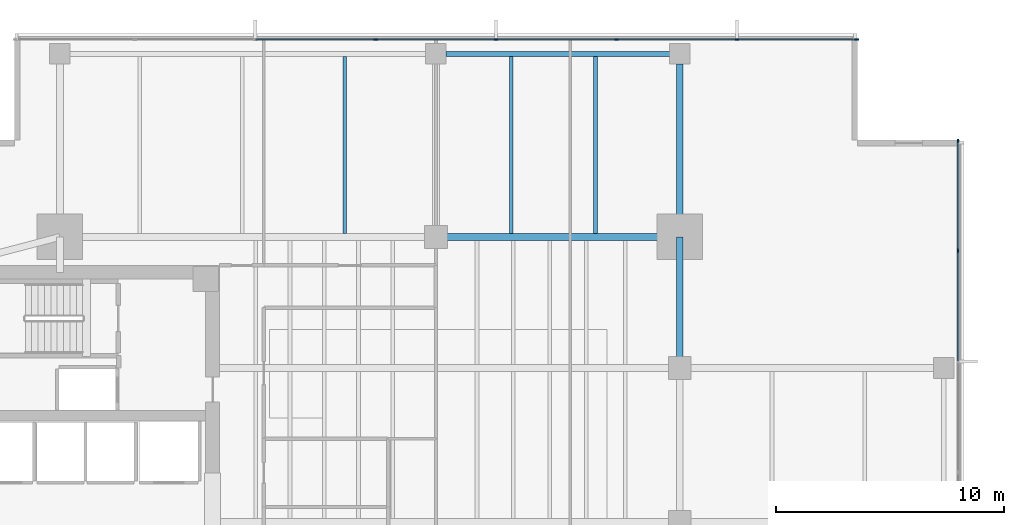
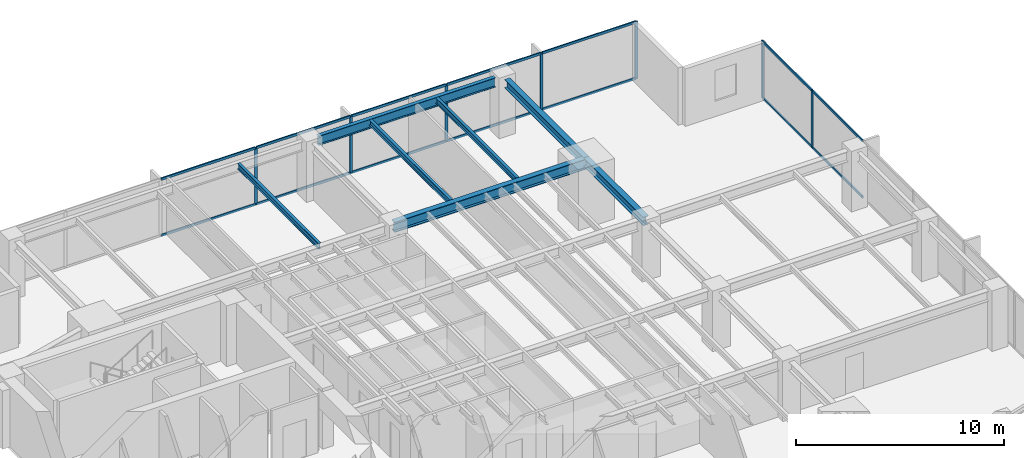
# One storey, part 6 of 14: 21 members, 7 beams, 2 elements without a shape of their own.
"""IFC4 building model written with IfcOpenShell, lengths in metres."""

from ifc_helpers import new_model, si_unit, direction, frame, origin, origin_2d, place, context, subcontext, project, spatial, rectangle, i_section, extrude, material, layer, layer_set, material_profile, profile_set, type_object, element, aggregate, save


model = new_model("IFC4")

# Units and contexts
model_context = context("Model", 3, precision=1e-05, world=origin(), true_north=direction((0.0, 1.0)))
body_context = subcontext(model_context, "Body", "Model", "MODEL_VIEW")
ifc_project = project(units=[si_unit("LENGTHUNIT", "METRE"), si_unit("AREAUNIT", "SQUARE_METRE"), si_unit("VOLUMEUNIT", "CUBIC_METRE"), si_unit("PLANEANGLEUNIT", "RADIAN"), si_unit("MASSUNIT", "GRAM", prefix="KILO")], contexts=[model_context])

# Site, building, storey
site_placement = place(None, origin())
site = spatial("IfcSite", under=ifc_project, at=site_placement, CompositionType="ELEMENT")
building_placement = place(site_placement, origin())
building = spatial("IfcBuilding", under=site, at=building_placement, Name="Kinhvarn Gate Tower", CompositionType="ELEMENT")
storey_placement = place(building_placement, frame((0.0, 0.0, 137.75)))
storey = spatial("IfcBuildingStorey", under=building, at=storey_placement, Name="L36", CompositionType="ELEMENT", Elevation=137.75)

# Curtain wall, members
ifc_material_1 = material(Name="Anodised aluminium AW-6063", Category="aluminium")
ifc_layer = layer(ifc_material_1, 0.179931640625)
ifc_layer_set = layer_set([ifc_layer], Name="Anodised aluminium AW-6063")
curtain_wall_type = type_object("IfcCurtainWallType", Name="CW-SYS-3", PredefinedType="NOTDEFINED", material=ifc_layer_set)
curtain_wall_1_placement = place(storey_placement, origin())
curtain_wall_1 = element("IfcCurtainWall", 1, at=curtain_wall_1_placement, inside=storey, type_object=curtain_wall_type, Name="Curtain Wall CW3 (L36)", PredefinedType="NOTDEFINED")
ifc_material_profile_1 = material_profile(ifc_material_1, rectangle(XDim=0.06494140625, YDim=0.159912109375, at=origin_2d()), Name="ALU 65x160")
ifc_profile_set_1 = profile_set([ifc_material_profile_1], Name="Anodised aluminium AW-6063")
member_type_1 = type_object("IfcMemberType", Name="CW-MUL-160", PredefinedType="MULLION", material=ifc_profile_set_1)
member_1_placement = place(storey_placement, frame((45.967529296875, 46.409912109375, 0.0), z_axis=(0.0, 0.0, 1.0), x_axis=(0.0, -1.0, 0.0)))
member_1 = element("IfcMember", 2, at=member_1_placement, type_object=member_type_1, Name="CW3 mullion 1", PredefinedType="MULLION", context=body_context, shape_type="SweptSolid", body=[
    extrude(rectangle(XDim=0.06494140625, YDim=0.159912109375, at=origin_2d()), origin(), (0.0, 0.0, 1.0), 3.3701171875),
])
member_2_placement = place(storey_placement, frame((40.71435546875, 46.409912109375, 0.0), z_axis=(0.0, 0.0, 1.0), x_axis=(0.0, -1.0, 0.0)))
member_2 = element("IfcMember", 3, at=member_2_placement, type_object=member_type_1, Name="CW3 mullion 2", PredefinedType="MULLION", context=body_context, shape_type="SweptSolid", body=[
    extrude(rectangle(XDim=0.06494140625, YDim=0.159912109375, at=origin_2d()), origin(), (0.0, 0.0, 1.0), 3.3701171875),
])
member_3_placement = place(storey_placement, frame((35.428466796875, 46.409912109375, 0.0), z_axis=(0.0, 0.0, 1.0), x_axis=(0.0, -1.0, 0.0)))
member_3 = element("IfcMember", 4, at=member_3_placement, type_object=member_type_1, Name="CW3 mullion 3", PredefinedType="MULLION", context=body_context, shape_type="SweptSolid", body=[
    extrude(rectangle(XDim=0.06494140625, YDim=0.159912109375, at=origin_2d()), origin(), (0.0, 0.0, 1.0), 3.3701171875),
])
member_4_placement = place(storey_placement, frame((30.142822265625, 46.409912109375, 0.0), z_axis=(0.0, 0.0, 1.0), x_axis=(0.0, -1.0, 0.0)))
member_4 = element("IfcMember", 5, at=member_4_placement, type_object=member_type_1, Name="CW3 mullion 4", PredefinedType="MULLION", context=body_context, shape_type="SweptSolid", body=[
    extrude(rectangle(XDim=0.06494140625, YDim=0.159912109375, at=origin_2d()), origin(), (0.0, 0.0, 1.0), 3.3701171875),
])
member_5_placement = place(storey_placement, frame((24.857177734375, 46.409912109375, 0.0), z_axis=(0.0, 0.0, 1.0), x_axis=(0.0, -1.0, 0.0)))
member_5 = element("IfcMember", 6, at=member_5_placement, type_object=member_type_1, Name="CW3 mullion 5", PredefinedType="MULLION", context=body_context, shape_type="SweptSolid", body=[
    extrude(rectangle(XDim=0.06494140625, YDim=0.159912109375, at=origin_2d()), origin(), (0.0, 0.0, 1.0), 3.3701171875),
])

curtain_wall_2_placement = place(storey_placement, origin())
curtain_wall_2 = element("IfcCurtainWall", 7, at=curtain_wall_2_placement, inside=storey, type_object=curtain_wall_type, Name="Curtain Wall CW3 (L36)", PredefinedType="NOTDEFINED")
member_6_placement = place(storey_placement, frame((50.409912109375, 37.142822265625, 0.0), z_axis=(0.0, 0.0, 1.0), x_axis=(-1.0, 0.0, 0.0)))
member_6 = element("IfcMember", 8, at=member_6_placement, type_object=member_type_1, Name="CW3 mullion 7", PredefinedType="MULLION", context=body_context, shape_type="SweptSolid", body=[
    extrude(rectangle(XDim=0.06494140625, YDim=0.159912109375, at=origin_2d()), origin(), (0.0, 0.0, 1.0), 3.3701171875),
])
member_7_placement = place(storey_placement, frame((50.409912109375, 41.967529296875, 0.0), z_axis=(0.0, 0.0, 1.0), x_axis=(-1.0, 0.0, 0.0)))
member_7 = element("IfcMember", 9, at=member_7_placement, type_object=member_type_1, Name="CW3 mullion 8", PredefinedType="MULLION", context=body_context, shape_type="SweptSolid", body=[
    extrude(rectangle(XDim=0.06494140625, YDim=0.159912109375, at=origin_2d()), origin(), (0.0, 0.0, 1.0), 3.3701171875),
])

# Member
ifc_material_profile_2 = material_profile(ifc_material_1, rectangle(XDim=0.070068359375, YDim=0.139892578125, at=origin_2d()), Name="ALU 70x140")
ifc_profile_set_2 = profile_set([ifc_material_profile_2], Name="Anodised aluminium AW-6063")
member_type_2 = type_object("IfcMemberType", Name="CW-TRN-140", PredefinedType="USERDEFINED", material=ifc_profile_set_2)
member_8_placement = place(storey_placement, frame((45.93505859375, 46.409912109375, 0.034912109375), z_axis=(-1.0, 0.0, 0.0), x_axis=(0.0, -1.0, 0.0)))
member_8 = element("IfcMember", 10, at=member_8_placement, type_object=member_type_2, Name="CW3 transom 1.1", ObjectType="TRANSOM", PredefinedType="USERDEFINED", context=body_context, shape_type="SweptSolid", body=[
    extrude(rectangle(XDim=0.070068359375, YDim=0.139892578125, at=origin_2d()), origin(), (0.0, 0.0, 1.0), 5.188232421875),
])

member_9_placement = place(storey_placement, frame((45.93505859375, 46.409912109375, 3.3349609375), z_axis=(-1.0, 0.0, 0.0), x_axis=(0.0, -1.0, 0.0)))
member_9 = element("IfcMember", 11, at=member_9_placement, type_object=member_type_2, Name="CW3 transom 1.2", ObjectType="TRANSOM", PredefinedType="USERDEFINED", context=body_context, shape_type="SweptSolid", body=[
    extrude(rectangle(XDim=0.070068359375, YDim=0.139892578125, at=origin_2d()), origin(), (0.0, 0.0, 1.0), 5.188232421875),
])

member_10_placement = place(storey_placement, frame((40.681884765625, 46.409912109375, 0.034912109375), z_axis=(-1.0, 0.0, 0.0), x_axis=(0.0, -1.0, 0.0)))
member_10 = element("IfcMember", 12, at=member_10_placement, type_object=member_type_2, Name="CW3 transom 2.1", ObjectType="TRANSOM", PredefinedType="USERDEFINED", context=body_context, shape_type="SweptSolid", body=[
    extrude(rectangle(XDim=0.070068359375, YDim=0.139892578125, at=origin_2d()), origin(), (0.0, 0.0, 1.0), 5.220703125),
])

member_11_placement = place(storey_placement, frame((40.681884765625, 46.409912109375, 3.3349609375), z_axis=(-1.0, 0.0, 0.0), x_axis=(0.0, -1.0, 0.0)))
member_11 = element("IfcMember", 13, at=member_11_placement, type_object=member_type_2, Name="CW3 transom 2.2", ObjectType="TRANSOM", PredefinedType="USERDEFINED", context=body_context, shape_type="SweptSolid", body=[
    extrude(rectangle(XDim=0.070068359375, YDim=0.139892578125, at=origin_2d()), origin(), (0.0, 0.0, 1.0), 5.220703125),
])

member_12_placement = place(storey_placement, frame((35.39599609375, 46.409912109375, 0.034912109375), z_axis=(-1.0, 0.0, 0.0), x_axis=(0.0, -1.0, 0.0)))
member_12 = element("IfcMember", 14, at=member_12_placement, type_object=member_type_2, Name="CW3 transom 3.1", ObjectType="TRANSOM", PredefinedType="USERDEFINED", context=body_context, shape_type="SweptSolid", body=[
    extrude(rectangle(XDim=0.070068359375, YDim=0.139892578125, at=origin_2d()), origin(), (0.0, 0.0, 1.0), 5.220703125),
])

member_13_placement = place(storey_placement, frame((35.39599609375, 46.409912109375, 3.3349609375), z_axis=(-1.0, 0.0, 0.0), x_axis=(0.0, -1.0, 0.0)))
member_13 = element("IfcMember", 15, at=member_13_placement, type_object=member_type_2, Name="CW3 transom 3.2", ObjectType="TRANSOM", PredefinedType="USERDEFINED", context=body_context, shape_type="SweptSolid", body=[
    extrude(rectangle(XDim=0.070068359375, YDim=0.139892578125, at=origin_2d()), origin(), (0.0, 0.0, 1.0), 5.220703125),
])

member_14_placement = place(storey_placement, frame((30.1103515625, 46.409912109375, 0.034912109375), z_axis=(-1.0, 0.0, 0.0), x_axis=(0.0, -1.0, 0.0)))
member_14 = element("IfcMember", 16, at=member_14_placement, type_object=member_type_2, Name="CW3 transom 4.1", ObjectType="TRANSOM", PredefinedType="USERDEFINED", context=body_context, shape_type="SweptSolid", body=[
    extrude(rectangle(XDim=0.070068359375, YDim=0.139892578125, at=origin_2d()), origin(), (0.0, 0.0, 1.0), 5.220703125),
])

member_15_placement = place(storey_placement, frame((30.1103515625, 46.409912109375, 3.3349609375), z_axis=(-1.0, 0.0, 0.0), x_axis=(0.0, -1.0, 0.0)))
member_15 = element("IfcMember", 17, at=member_15_placement, type_object=member_type_2, Name="CW3 transom 4.2", ObjectType="TRANSOM", PredefinedType="USERDEFINED", context=body_context, shape_type="SweptSolid", body=[
    extrude(rectangle(XDim=0.070068359375, YDim=0.139892578125, at=origin_2d()), origin(), (0.0, 0.0, 1.0), 5.220703125),
])

member_16_placement = place(storey_placement, frame((24.82470703125, 46.409912109375, 0.034912109375), z_axis=(-1.0, 0.0, 0.0), x_axis=(0.0, -1.0, 0.0)))
member_16 = element("IfcMember", 18, at=member_16_placement, type_object=member_type_2, Name="CW3 transom 5.1", ObjectType="TRANSOM", PredefinedType="USERDEFINED", context=body_context, shape_type="SweptSolid", body=[
    extrude(rectangle(XDim=0.070068359375, YDim=0.139892578125, at=origin_2d()), origin(), (0.0, 0.0, 1.0), 5.220703125),
])

member_17_placement = place(storey_placement, frame((24.82470703125, 46.409912109375, 3.3349609375), z_axis=(-1.0, 0.0, 0.0), x_axis=(0.0, -1.0, 0.0)))
member_17 = element("IfcMember", 19, at=member_17_placement, type_object=member_type_2, Name="CW3 transom 5.2", ObjectType="TRANSOM", PredefinedType="USERDEFINED", context=body_context, shape_type="SweptSolid", body=[
    extrude(rectangle(XDim=0.070068359375, YDim=0.139892578125, at=origin_2d()), origin(), (0.0, 0.0, 1.0), 5.220703125),
])

aggregate(curtain_wall_1, [member_1, member_2, member_3, member_4, member_5, member_8, member_9, member_10, member_11, member_12, member_13, member_14, member_15, member_16, member_17])

member_18_placement = place(storey_placement, frame((50.409912109375, 32.318115234375, 0.034912109375), z_axis=(0.0, 1.0, 0.0), x_axis=(-1.0, 0.0, 0.0)))
member_18 = element("IfcMember", 20, at=member_18_placement, type_object=member_type_2, Name="CW3 transom 6.1", ObjectType="TRANSOM", PredefinedType="USERDEFINED", context=body_context, shape_type="SweptSolid", body=[
    extrude(rectangle(XDim=0.070068359375, YDim=0.139892578125, at=origin_2d()), origin(), (0.0, 0.0, 1.0), 4.792236328125),
])

member_19_placement = place(storey_placement, frame((50.409912109375, 32.318115234375, 3.3349609375), z_axis=(0.0, 1.0, 0.0), x_axis=(-1.0, 0.0, 0.0)))
member_19 = element("IfcMember", 21, at=member_19_placement, type_object=member_type_2, Name="CW3 transom 6.2", ObjectType="TRANSOM", PredefinedType="USERDEFINED", context=body_context, shape_type="SweptSolid", body=[
    extrude(rectangle(XDim=0.070068359375, YDim=0.139892578125, at=origin_2d()), origin(), (0.0, 0.0, 1.0), 4.792236328125),
])

member_20_placement = place(storey_placement, frame((50.409912109375, 37.17529296875, 0.034912109375), z_axis=(0.0, 1.0, 0.0), x_axis=(-1.0, 0.0, 0.0)))
member_20 = element("IfcMember", 22, at=member_20_placement, type_object=member_type_2, Name="CW3 transom 7.1", ObjectType="TRANSOM", PredefinedType="USERDEFINED", context=body_context, shape_type="SweptSolid", body=[
    extrude(rectangle(XDim=0.070068359375, YDim=0.139892578125, at=origin_2d()), origin(), (0.0, 0.0, 1.0), 4.759765625),
])

member_21_placement = place(storey_placement, frame((50.409912109375, 37.17529296875, 3.3349609375), z_axis=(0.0, 1.0, 0.0), x_axis=(-1.0, 0.0, 0.0)))
member_21 = element("IfcMember", 23, at=member_21_placement, type_object=member_type_2, Name="CW3 transom 7.2", ObjectType="TRANSOM", PredefinedType="USERDEFINED", context=body_context, shape_type="SweptSolid", body=[
    extrude(rectangle(XDim=0.070068359375, YDim=0.139892578125, at=origin_2d()), origin(), (0.0, 0.0, 1.0), 4.759765625),
])

aggregate(curtain_wall_2, [member_6, member_7, member_18, member_19, member_20, member_21])

# Beams
ifc_material_2 = material(Name="Steel S355", Category="steel")
ifc_material_profile_3 = material_profile(ifc_material_2, i_section(OverallWidth=0.300048828125, OverallDepth=0.5, WebThickness=0.014404296875, FlangeThickness=0.028076171875, at=origin_2d()), Name="HEB 500")
ifc_profile_set_3 = profile_set([ifc_material_profile_3], Name="Steel S355")
beam_type_1 = type_object("IfcBeamType", Name="STL-HEB500", PredefinedType="BEAM", material=ifc_profile_set_3)
beam_1_placement = place(storey_placement, frame((38.199951171875, 37.75, 3.1201171875), z_axis=(0.0, 1.0, 0.0), x_axis=(-1.0, 0.0, 0.0)))
element("IfcBeam", 24, at=beam_1_placement, inside=storey, type_object=beam_type_1, Name="Floor Beam PG-14 (L36 MCE-N)", PredefinedType="BEAM", context=body_context, shape_type="SweptSolid", body=[
    extrude(i_section(OverallWidth=0.300048828125, OverallDepth=0.5, WebThickness=0.014404296875, FlangeThickness=0.028076171875, at=origin_2d()), origin(), (0.0, 0.0, 1.0), 7.594970703125),
])
beam_2_placement = place(storey_placement, frame((38.199951171875, 32.0, 3.1201171875), z_axis=(0.0, 1.0, 0.0), x_axis=(-1.0, 0.0, 0.0)))
element("IfcBeam", 25, at=beam_2_placement, inside=storey, type_object=beam_type_1, Name="Floor Beam PG-14 (L36 MG-E-32)", PredefinedType="BEAM", context=body_context, shape_type="SweptSolid", body=[
    extrude(i_section(OverallWidth=0.300048828125, OverallDepth=0.5, WebThickness=0.014404296875, FlangeThickness=0.028076171875, at=origin_2d()), origin(), (0.0, 0.0, 1.0), 5.75),
])
ifc_material_profile_4 = material_profile(ifc_material_2, i_section(OverallWidth=0.300048828125, OverallDepth=0.60009765625, WebThickness=0.015380859375, FlangeThickness=0.030029296875, at=origin_2d()), Name="HEB 600")
ifc_profile_set_4 = profile_set([ifc_material_profile_4], Name="Steel S355")
beam_type_2 = type_object("IfcBeamType", Name="STL-HEB600", PredefinedType="BEAM", material=ifc_profile_set_4)
beam_3_placement = place(storey_placement, frame((27.5, 37.75, 3.070068359375), z_axis=(1.0, 0.0, 0.0), x_axis=(0.0, 1.0, 0.0)))
element("IfcBeam", 26, at=beam_3_placement, inside=storey, type_object=beam_type_2, Name="Floor Beam PG-16 (L36 MG-N2)", PredefinedType="BEAM", context=body_context, shape_type="SweptSolid", body=[
    extrude(i_section(OverallWidth=0.300048828125, OverallDepth=0.60009765625, WebThickness=0.015380859375, FlangeThickness=0.030029296875, at=origin_2d()), origin(), (0.0, 0.0, 1.0), 10.699951171875),
])
ifc_material_profile_5 = material_profile(ifc_material_2, i_section(OverallWidth=0.159912109375, OverallDepth=0.330078125, WebThickness=0.007568359375, FlangeThickness=0.011474609375, at=origin_2d()), Name="IPE 330")
ifc_profile_set_5 = profile_set([ifc_material_profile_5], Name="Steel S355")
beam_type_3 = type_object("IfcBeamType", Name="STL-IPE330", PredefinedType="JOIST", material=ifc_profile_set_5)
for number, where, z_axis, x_axis, name in (
    (27, (23.5, 37.89990234375, 3.205078125), (0.0, 1.0, 0.0), (-1.0, 0.0, 0.0), "Floor Joist SB-03 (L36 JN-X235)"),
    (28, (30.800048828125, 37.89990234375, 3.205078125), (0.0, 1.0, 0.0), (-1.0, 0.0, 0.0), "Floor Joist SB-03 (L36 JN-X308)"),
    (29, (34.5, 37.89990234375, 3.205078125), (0.0, 1.0, 0.0), (-1.0, 0.0, 0.0), "Floor Joist SB-03 (L36 JN-X345)"),
):
    element("IfcBeam", number, at=place(storey_placement, frame(where, z_axis=z_axis, x_axis=x_axis)), inside=storey, type_object=beam_type_3, Name=name, PredefinedType="JOIST", context=body_context, shape_type="SweptSolid", body=[
        extrude(i_section(OverallWidth=0.159912109375, OverallDepth=0.330078125, WebThickness=0.007568359375, FlangeThickness=0.011474609375, at=origin_2d()), origin(), (0.0, 0.0, 1.0), 7.775146484375),
    ])
ifc_material_profile_6 = material_profile(ifc_material_2, i_section(OverallWidth=0.2099609375, OverallDepth=0.550048828125, WebThickness=0.010986328125, FlangeThickness=0.01708984375, at=origin_2d()), Name="IPE 550")
ifc_profile_set_6 = profile_set([ifc_material_profile_6], Name="Steel S355")
beam_type_4 = type_object("IfcBeamType", Name="STL-IPE550", PredefinedType="SPANDREL", material=ifc_profile_set_6)
beam_4_placement = place(storey_placement, frame((27.93505859375, 45.780029296875, 3.094970703125), z_axis=(1.0, 0.0, 0.0), x_axis=(0.0, 1.0, 0.0)))
element("IfcBeam", 30, at=beam_4_placement, inside=storey, type_object=beam_type_4, Name="Floor Spandrel SB-08 (L36 SP-N2)", PredefinedType="SPANDREL", context=body_context, shape_type="SweptSolid", body=[
    extrude(i_section(OverallWidth=0.2099609375, OverallDepth=0.550048828125, WebThickness=0.010986328125, FlangeThickness=0.01708984375, at=origin_2d()), origin(), (0.0, 0.0, 1.0), 9.829833984375),
])

save(model, "model.ifc")
